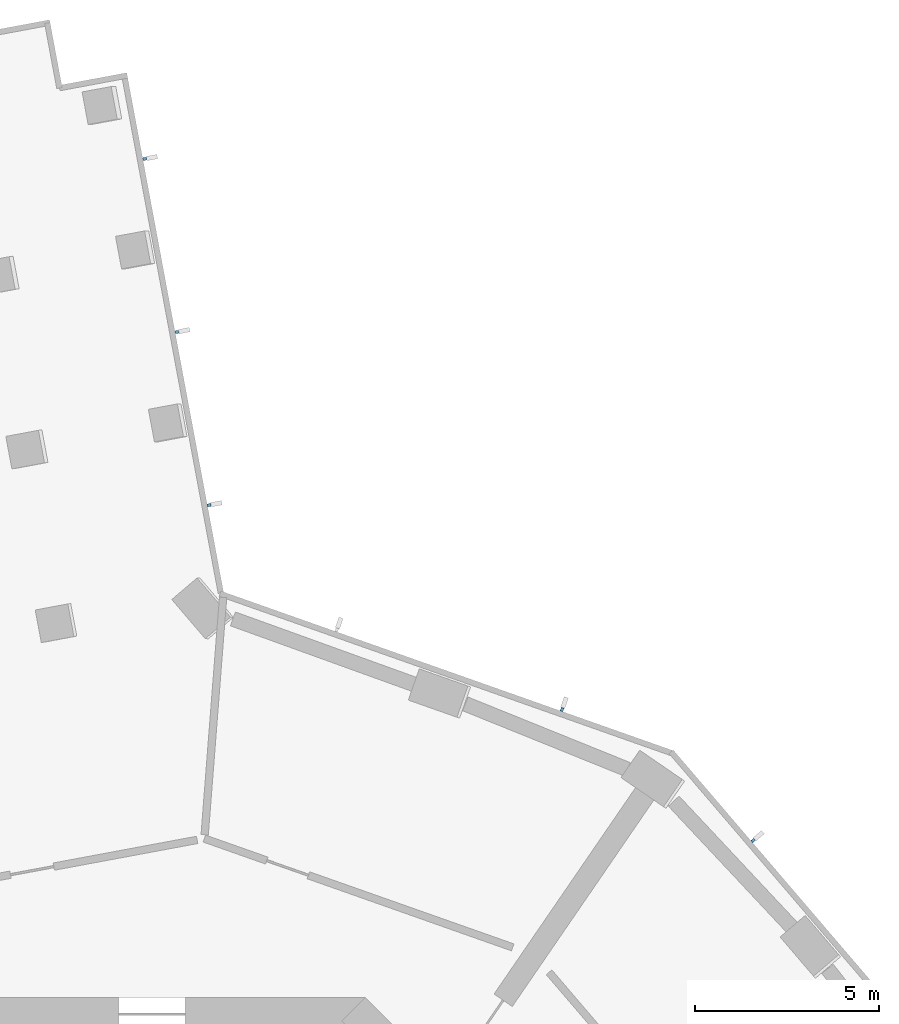
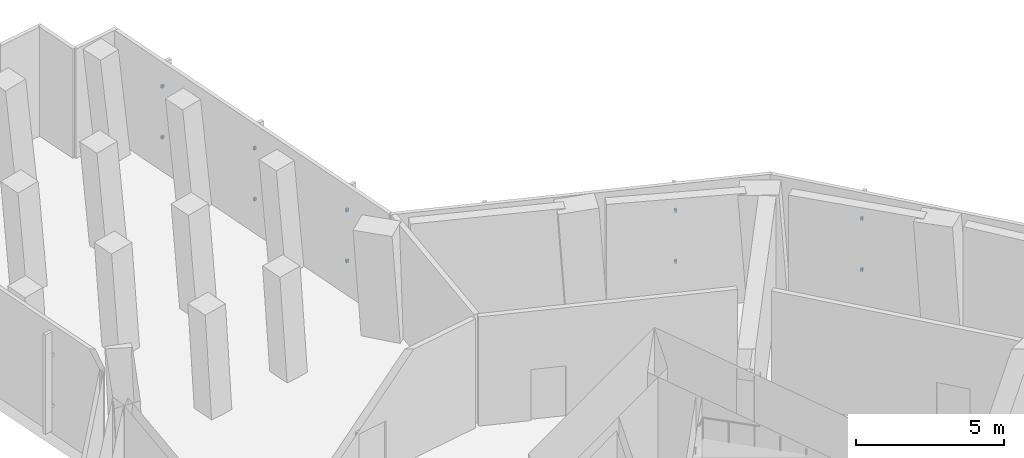
# One storey, part 11 of 20: 10 discrete accessories.
"""IFC4 building model written with IfcOpenShell, lengths in metres."""

from ifc_helpers import new_model, si_unit, direction, frame, origin, origin_2d, place, context, subcontext, project, spatial, rectangle, extrude, element, save


model = new_model("IFC4")

# Units and contexts
model_context = context("Model", 3, precision=1e-05, world=origin(), true_north=direction((0.0, 1.0)))
body_context = subcontext(model_context, "Body", "Model", "MODEL_VIEW")
ifc_project = project(units=[si_unit("LENGTHUNIT", "METRE"), si_unit("AREAUNIT", "SQUARE_METRE"), si_unit("VOLUMEUNIT", "CUBIC_METRE"), si_unit("PLANEANGLEUNIT", "RADIAN"), si_unit("MASSUNIT", "GRAM", prefix="KILO")], contexts=[model_context])

# Site, building, storey
site_placement = place(None, origin())
site = spatial("IfcSite", under=ifc_project, at=site_placement, CompositionType="ELEMENT")
building_placement = place(site_placement, origin())
building = spatial("IfcBuilding", under=site, at=building_placement, Name="Verdalira Terraces Hotel", CompositionType="ELEMENT")
storey_placement = place(building_placement, frame((0.0, 0.0, 75.0)))
storey = spatial("IfcBuildingStorey", under=building, at=storey_placement, Name="L17", CompositionType="ELEMENT", Elevation=75.0)

# Discrete accessories
for number, where, z_axis, x_axis, name in (
    (1, (1.554443, 27.402344, 1.139893), (0.0, 0.0, 1.0), (-0.183265088, 0.983063532, 0.0), "Fin bracket"),
    (2, (1.554443, 27.402344, 3.23999), (0.0, 0.0, 1.0), (-0.183265088, 0.983063532, 0.0), "Fin bracket"),
    (3, (0.676514, 32.111084, 1.139893), (0.0, 0.0, 1.0), (-0.183265088, 0.983063532, 0.0), "Fin bracket"),
    (4, (0.676514, 32.111084, 3.23999), (0.0, 0.0, 1.0), (-0.183265088, 0.983063532, 0.0), "Fin bracket"),
    (5, (-0.201172, 36.820068, 1.139893), (0.0, 0.0, 1.0), (-0.183265088, 0.983063532, 0.0), "Fin bracket"),
    (6, (-0.201172, 36.820068, 3.23999), (0.0, 0.0, 1.0), (-0.183265088, 0.983063532, 0.0), "Fin bracket"),
    (7, (16.354248, 18.275391, 1.139893), (0.0, 0.0, 1.0), (-0.650243987, 0.759725448, 0.0), "Fin bracket"),
    (8, (16.354248, 18.275391, 3.23999), (0.0, 0.0, 1.0), (-0.650243987, 0.759725448, 0.0), "Fin bracket"),
    (9, (11.155029, 21.84082, 1.139893), (0.0, 0.0, 1.0), (-0.942990536, 0.332819545, 0.0), "Fin bracket"),
    (10, (11.155029, 21.84082, 3.23999), (0.0, 0.0, 1.0), (-0.942990536, 0.332819545, 0.0), "Fin bracket"),
):
    element("IfcDiscreteAccessory", number, at=place(storey_placement, frame(where, z_axis=z_axis, x_axis=x_axis)), inside=storey, Name=name, PredefinedType="BRACKET", context=body_context, shape_type="SweptSolid", body=[
        extrude(rectangle(XDim=0.080078, YDim=0.100098, at=origin_2d()), origin(), (0.0, 0.0, 1.0), 0.120117),
    ])

save(model, "model.ifc")
